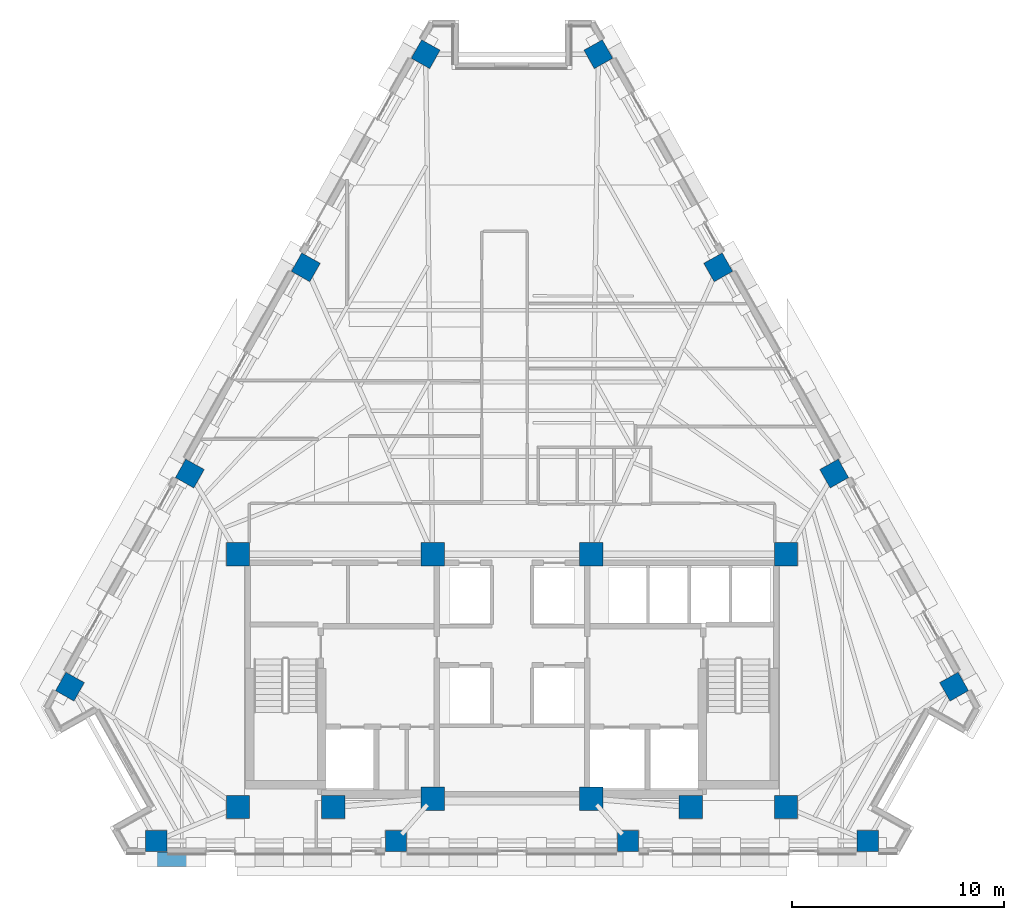
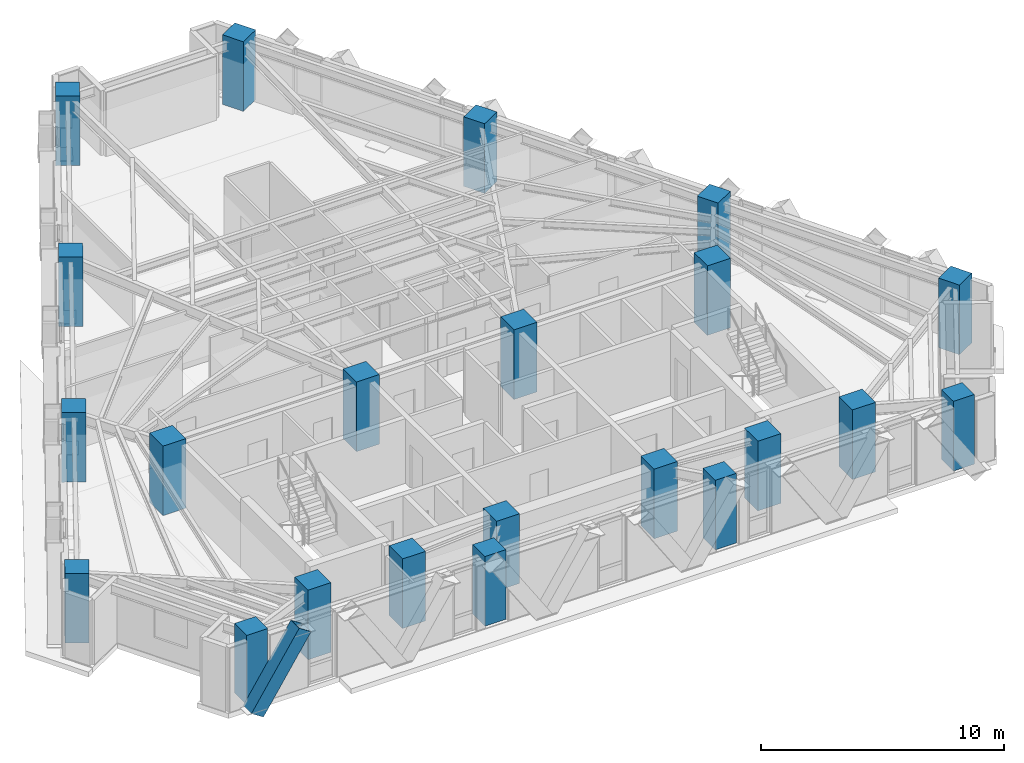
# One storey, part 1 of 13: 22 columns, 1 member.
"""IFC4 building model written with IfcOpenShell, lengths in metres."""

import ifcopenshell
import ifcopenshell.guid

model = None  # the IFC model being written
_history = None  # IfcOwnerHistory: only IFC2X3 demands one
_inside = {}  # id of a spatial element -> (the spatial element, [elements in it])
_under = {}  # id of a project, library or spatial element -> (it, [spatial elements below it])
_declared = {}  # id of a project -> (the project, [libraries it declares])
_typed = {}  # id of a type object -> (the type object, [elements of that type])
_made_of = {}  # id of a material, layer set ... -> (it, [elements and type objects made of it])


def new_model(schema):
    """Start an empty IFC model of exactly this schema.

    Asked for "IFC4X3", IfcOpenShell would pick the latest addendum, in which some entities
    have other attributes; the version numbers below select the first issue.
    IFC2X3 requires an IfcOwnerHistory on every rooted entity: one is made here for all.
    """
    global model, _history
    if schema == "IFC4X3":
        model = ifcopenshell.file(schema_version=(4, 3, 0, 0))
    else:
        model = ifcopenshell.file(schema=schema)
    _inside.clear()
    _under.clear()
    _declared.clear()
    _typed.clear()
    _made_of.clear()
    _history = None
    if model.schema == "IFC2X3":
        org = make("IfcOrganization", Name="unknown")
        user = make(
            "IfcPersonAndOrganization",
            ThePerson=make("IfcPerson", FamilyName="unknown"),
            TheOrganization=org,
        )
        app = make(
            "IfcApplication",
            ApplicationDeveloper=org,
            Version="unknown",
            ApplicationFullName="unknown",
            ApplicationIdentifier="unknown",
        )
        _history = make(
            "IfcOwnerHistory",
            OwningUser=user,
            OwningApplication=app,
            ChangeAction="ADDED",
            CreationDate=0,
        )
    return model


def make(cls, **values):
    """One entity of the class cls with the attributes given. An attribute that is None is left unset."""
    return model.create_entity(
        cls, **{name: value for name, value in values.items() if value is not None}
    )


def rooted(cls, **values):
    """An entity with a GlobalId (a new one), such as an element, a storey or a relation."""
    return make(cls, GlobalId=ifcopenshell.guid.new(), OwnerHistory=_history, **values)


def si_unit(unit_type, name, prefix=None):
    """IfcSIUnit, for example si_unit("LENGTHUNIT", "METRE", prefix="MILLI")."""
    return make("IfcSIUnit", UnitType=unit_type, Prefix=prefix, Name=name)


def assignment(units):
    """IfcUnitAssignment: the units of a project."""
    return None if units is None else make("IfcUnitAssignment", Units=units)


def point(xyz):
    """IfcCartesianPoint."""
    return None if xyz is None else make("IfcCartesianPoint", Coordinates=xyz)


def direction(xyz):
    """IfcDirection."""
    return None if xyz is None else make("IfcDirection", DirectionRatios=xyz)


def frame(location, z_axis=None, x_axis=None):
    """IfcAxis2Placement3D, a coordinate frame: its origin and axes. An axis left out is left unset."""
    return make(
        "IfcAxis2Placement3D",
        Location=point(location),
        Axis=direction(z_axis),
        RefDirection=direction(x_axis),
    )


def frame_2d(location, x_axis=None):
    """IfcAxis2Placement2D, a coordinate frame in the plane: its origin and x axis."""
    return make(
        "IfcAxis2Placement2D", Location=point(location), RefDirection=direction(x_axis)
    )


def origin():
    """The frame at (0, 0, 0) with its axes left unset."""
    return frame((0.0, 0.0, 0.0))


def origin_2d():
    """The frame at (0, 0) in the plane with its x axis left unset."""
    return frame_2d((0.0, 0.0))


def place(relative_to, where):
    """IfcLocalPlacement: puts the frame where relative to a parent placement (None: the world)."""
    return make(
        "IfcLocalPlacement", PlacementRelTo=relative_to, RelativePlacement=where
    )


def context(
    kind, dimensions, precision=None, world=None, true_north=None, identifier=None
):
    """IfcGeometricRepresentationContext, for example the 3D "Model" context."""
    return make(
        "IfcGeometricRepresentationContext",
        ContextIdentifier=identifier,
        ContextType=kind,
        CoordinateSpaceDimension=dimensions,
        Precision=precision,
        WorldCoordinateSystem=world,
        TrueNorth=true_north,
    )


def subcontext(parent, identifier, kind, view, scale=None):
    """IfcGeometricRepresentationSubContext, for example "Body" below "Model"."""
    return make(
        "IfcGeometricRepresentationSubContext",
        ContextIdentifier=identifier,
        ContextType=kind,
        ParentContext=parent,
        TargetScale=scale,
        TargetView=view,
    )


def project(units=None, contexts=None):
    """IfcProject with its units and contexts."""
    return rooted(
        "IfcProject",
        Name="project",
        RepresentationContexts=contexts,
        UnitsInContext=assignment(units),
    )


def spatial(cls, under=None, at=None, **own):
    """A site, building, storey or space (cls), placed at a placement, below another one or the project."""
    s = rooted(cls, ObjectPlacement=at, **own)
    if under is not None:
        _under.setdefault(under.id(), (under, []))[1].append(s)
    return s


def profile(cls, at=None, kind="AREA", **sizes):
    """A parametric profile (cls). Its sizes go by their IFC names, for example OverallWidth=200.0."""
    return make(cls, ProfileType=kind, Position=at, **sizes)


def rectangle(**sizes):
    """IfcRectangleProfileDef."""
    return profile("IfcRectangleProfileDef", **sizes)


def hollow_rectangle(**sizes):
    """IfcRectangleHollowProfileDef."""
    return profile("IfcRectangleHollowProfileDef", **sizes)


def extrude(swept, where, along, depth):
    """IfcExtrudedAreaSolid: the profile swept, set in the frame where, extruded along a direction by depth."""
    return make(
        "IfcExtrudedAreaSolid",
        SweptArea=swept,
        Position=where,
        ExtrudedDirection=direction(along),
        Depth=depth,
    )


def shape(context_of_items, identifier, shape_type, items):
    """IfcShapeRepresentation: the items that make up one representation, for example the "Body"."""
    return make(
        "IfcShapeRepresentation",
        ContextOfItems=context_of_items,
        RepresentationIdentifier=identifier,
        RepresentationType=shape_type,
        Items=items,
    )


def material(Name=None, Category=None):
    """IfcMaterial."""
    return make("IfcMaterial", Name=Name, Category=Category)


def material_profile(
    of_material, cross_section, Name=None, Category=None, Priority=None
):
    """IfcMaterialProfile: a cross section and its material."""
    return make(
        "IfcMaterialProfile",
        Name=Name,
        Material=of_material,
        Profile=cross_section,
        Priority=Priority,
        Category=Category,
    )


def profile_set(profiles, Name=None, composite=None):
    """IfcMaterialProfileSet."""
    return make(
        "IfcMaterialProfileSet",
        Name=Name,
        MaterialProfiles=profiles,
        CompositeProfile=composite,
    )


def made_of(thing, what):
    """Note that an element or type object is made of a material, layer set ...; save() writes the relation."""
    if what is not None:
        _made_of.setdefault(what.id(), (what, []))[1].append(thing)
    return thing


def type_object(cls, material=None, **own):
    """A type object (cls), such as IfcWallType, which elements share."""
    return made_of(rooted(cls, **own), material)


def element(
    cls,
    number,
    at=None,
    inside=None,
    cuts=None,
    type_object=None,
    material=None,
    context=None,
    identifier="Body",
    shape_type=None,
    held_by="IfcProductDefinitionShape",
    body=None,
    shapes=None,
    **own,
):
    """One element of the class cls, such as IfcWall. Its Tag is "e" and its number.

    at: its placement. inside: the storey or other place that contains it. cuts: it is an
    opening in that element (IfcRelVoidsElement). A single representation is given by context,
    identifier, shape_type and body (its items); several are given by shapes. held_by: the class
    of the entity that holds the representations. save() writes the other relations.
    """
    e = rooted(cls, Tag="e%d" % number, ObjectPlacement=at, **own)
    if body is not None:
        shapes = [shape(context, identifier, shape_type, body)]
    if shapes is not None:
        e.Representation = make(held_by, Representations=shapes)
    if inside is not None:
        _inside.setdefault(inside.id(), (inside, []))[1].append(e)
    if cuts is not None:
        rooted(
            "IfcRelVoidsElement", RelatingBuildingElement=cuts, RelatedOpeningElement=e
        )
    if type_object is not None:
        _typed.setdefault(type_object.id(), (type_object, []))[1].append(e)
    return made_of(e, material)


def aggregate(whole, parts):
    """IfcRelAggregates: a whole, such as a stair, and the parts it consists of."""
    return rooted("IfcRelAggregates", RelatingObject=whole, RelatedObjects=parts)


def save(model, path):
    """Write the relations noted so far, then the file.

    IfcRelAggregates (storeys below a building ...), IfcRelContainedInSpatialStructure (elements
    in a storey), IfcRelDefinesByType, IfcRelAssociatesMaterial and IfcRelDeclares: one each for
    every whole, place, type object, material and project.
    """
    for whole, parts in _under.values():
        aggregate(whole, parts)
    for where, things in _inside.values():
        rooted(
            "IfcRelContainedInSpatialStructure",
            RelatedElements=things,
            RelatingStructure=where,
        )
    for kind, things in _typed.values():
        rooted("IfcRelDefinesByType", RelatedObjects=things, RelatingType=kind)
    for what, things in _made_of.values():
        rooted("IfcRelAssociatesMaterial", RelatedObjects=things, RelatingMaterial=what)
    for by, libraries in _declared.values():
        rooted("IfcRelDeclares", RelatingContext=by, RelatedDefinitions=libraries)
    model.write(path)


model = new_model("IFC4")

# Units and contexts
model_context = context("Model", 3, precision=1e-05, world=origin(), true_north=direction((0.0, 1.0)))
body_context = subcontext(model_context, "Body", "Model", "MODEL_VIEW")
ifc_project = project(units=[si_unit("LENGTHUNIT", "METRE"), si_unit("AREAUNIT", "SQUARE_METRE"), si_unit("VOLUMEUNIT", "CUBIC_METRE"), si_unit("PLANEANGLEUNIT", "RADIAN"), si_unit("MASSUNIT", "GRAM", prefix="KILO")], contexts=[model_context])

# Site, building, storey
site_placement = place(None, origin())
site = spatial("IfcSite", under=ifc_project, at=site_placement, CompositionType="ELEMENT")
building_placement = place(site_placement, origin())
building = spatial("IfcBuilding", under=site, at=building_placement, Name="Quenlor Broadcast Tower", CompositionType="ELEMENT")
storey_placement = place(building_placement, frame((0.0, 0.0, 130.0)))
storey = spatial("IfcBuildingStorey", under=building, at=storey_placement, Name="L35", CompositionType="ELEMENT", Elevation=130.0)

# Columns
ifc_material_1 = material(Name="Concrete C65/80", Category="concrete")
ifc_material_profile_1 = material_profile(ifc_material_1, rectangle(XDim=1.10009765625, YDim=1.10009765625, at=origin_2d()))
ifc_profile_set_1 = profile_set([ifc_material_profile_1], Name="Concrete C65/80 RC1100x1100")
column_type_1 = type_object("IfcColumnType", Name="Core Corner Column Mid Concrete C65/80 1100", PredefinedType="COLUMN", material=ifc_profile_set_1)
for number, where, z_axis, x_axis, name in (
    (1, (-12.949951171875, -16.75, 0.0), (0.0, 0.0, 1.0), (1.0, 0.0, 0.0), "L35 Core Column CC1"),
    (2, (-8.449951171875, -16.75, 0.0), (0.0, 0.0, 1.0), (1.0, 0.0, 0.0), "L35 Core Column CC2"),
    (3, (-3.75, -16.35009765625, 0.0), (0.0, 0.0, 1.0), (1.0, 0.0, 0.0), "L35 Core Column CC3"),
    (4, (3.75, -16.35009765625, 0.0), (0.0, 0.0, 1.0), (1.0, 0.0, 0.0), "L35 Core Column CC4"),
    (5, (8.449951171875, -16.75, 0.0), (0.0, 0.0, 1.0), (1.0, 0.0, 0.0), "L35 Core Column CC5"),
    (6, (12.949951171875, -16.75, 0.0), (0.0, 0.0, 1.0), (1.0, 0.0, 0.0), "L35 Core Column CC6"),
    (7, (-12.949951171875, -4.800048828125, 0.0), (0.0, 0.0, 1.0), (1.0, 0.0, 0.0), "L35 Core Column CC7"),
    (8, (-3.75, -4.800048828125, 0.0), (0.0, 0.0, 1.0), (1.0, 0.0, 0.0), "L35 Core Column CC8"),
    (9, (3.75, -4.800048828125, 0.0), (0.0, 0.0, 1.0), (1.0, 0.0, 0.0), "L35 Core Column CC9"),
    (10, (12.949951171875, -4.800048828125, 0.0), (0.0, 0.0, 1.0), (1.0, 0.0, 0.0), "L35 Core Column CC10"),
):
    element("IfcColumn", number, at=place(storey_placement, frame(where, z_axis=z_axis, x_axis=x_axis)), inside=storey, type_object=column_type_1, Name=name, PredefinedType="COLUMN", context=body_context, shape_type="SweptSolid", body=[
        extrude(rectangle(XDim=1.10009765625, YDim=1.10009765625, at=origin_2d()), origin(), (0.0, 0.0, 1.0), 3.5),
    ])
ifc_material_2 = material(Name="Concrete C50/60", Category="concrete")
ifc_material_profile_2 = material_profile(ifc_material_2, rectangle(XDim=1.0, YDim=1.0, at=origin_2d()))
ifc_profile_set_2 = profile_set([ifc_material_profile_2], Name="Concrete C50/60 RC1000x1000")
column_type_2 = type_object("IfcColumnType", Name="Tower Perimeter Column Z3 Concrete C50/60 1000", PredefinedType="COLUMN", material=ifc_profile_set_2)
for number, where, z_axis, x_axis, name in (
    (11, (-16.808349609375, -18.35009765625, 0.0), (0.0, 0.0, 1.0), (0.0, 1.0, 0.0), "L35 Perimeter Column S1"),
    (12, (-5.48095703125, -18.35009765625, 0.0), (0.0, 0.0, 1.0), (0.0, 1.0, 0.0), "L35 Perimeter Column S2"),
    (13, (5.48095703125, -18.35009765625, 0.0), (0.0, 0.0, 1.0), (0.0, 1.0, 0.0), "L35 Perimeter Column S3"),
    (14, (16.808349609375, -18.35009765625, 0.0), (0.0, 0.0, 1.0), (0.0, 1.0, 0.0), "L35 Perimeter Column S4"),
    (15, (20.8876953125, -11.0595703125, 0.0), (0.0, 0.0, 1.0), (0.871575139605, 0.490261946333, 0.0), "L35 Perimeter Column NE1"),
    (16, (15.22412109375, -0.99072265625, 0.0), (0.0, 0.0, 1.0), (0.871575139605, 0.490261946333, 0.0), "L35 Perimeter Column NE2"),
    (17, (9.742919921875, 8.75341796875, 0.0), (0.0, 0.0, 1.0), (0.871575139605, 0.490261946333, 0.0), "L35 Perimeter Column NE3"),
    (18, (4.079345703125, 18.822021484375, 0.0), (0.0, 0.0, 1.0), (0.871575139605, 0.490261946333, 0.0), "L35 Perimeter Column NE4"),
    (19, (-4.079345703125, 18.822021484375, 0.0), (0.0, 0.0, 1.0), (-0.871575139605, 0.490261946333, 0.0), "L35 Perimeter Column NW1"),
    (20, (-9.742919921875, 8.75341796875, 0.0), (0.0, 0.0, 1.0), (-0.871575139605, 0.490261946333, 0.0), "L35 Perimeter Column NW2"),
    (21, (-15.22412109375, -0.99072265625, 0.0), (0.0, 0.0, 1.0), (-0.871575139605, 0.490261946333, 0.0), "L35 Perimeter Column NW3"),
    (22, (-20.8876953125, -11.0595703125, 0.0), (0.0, 0.0, 1.0), (-0.871575139605, 0.490261946333, 0.0), "L35 Perimeter Column NW4"),
):
    element("IfcColumn", number, at=place(storey_placement, frame(where, z_axis=z_axis, x_axis=x_axis)), inside=storey, type_object=column_type_2, Name=name, PredefinedType="COLUMN", context=body_context, shape_type="SweptSolid", body=[
        extrude(rectangle(XDim=1.0, YDim=1.0, at=origin_2d()), origin(), (0.0, 0.0, 1.0), 3.5),
    ])

# Member
ifc_material_3 = material(Name="Steel S355", Category="steel")
ifc_material_profile_3 = material_profile(ifc_material_3, hollow_rectangle(XDim=0.679931640625, YDim=0.679931640625, WallThickness=0.02490234375, at=origin_2d()))
ifc_profile_set_3 = profile_set([ifc_material_profile_3], Name="Steel S355 RHS680x680x25")
member_type = type_object("IfcMemberType", Name="Perimeter Diagonal Lattice Brace Z3-Z4 Steel S355 RHS680x25", PredefinedType="BRACE", material=ifc_profile_set_3)
member_placement = place(storey_placement, frame((-17.206298828125, -19.219970703125, -0.1201171875), z_axis=(0.543901560697, 0.0, 0.839149028643), x_axis=(0.0, 1.0, 0.0)))
element("IfcMember", 23, at=member_placement, inside=storey, type_object=member_type, Name="L35 Perimeter Diamond Lattice S-C5B", PredefinedType="BRACE", context=body_context, shape_type="SweptSolid", body=[
    extrude(hollow_rectangle(XDim=0.679931640625, YDim=0.679931640625, WallThickness=0.02490234375, at=origin_2d()), origin(), (0.0, 0.0, 1.0), 4.1708984375),
])

save(model, "model.ifc")
